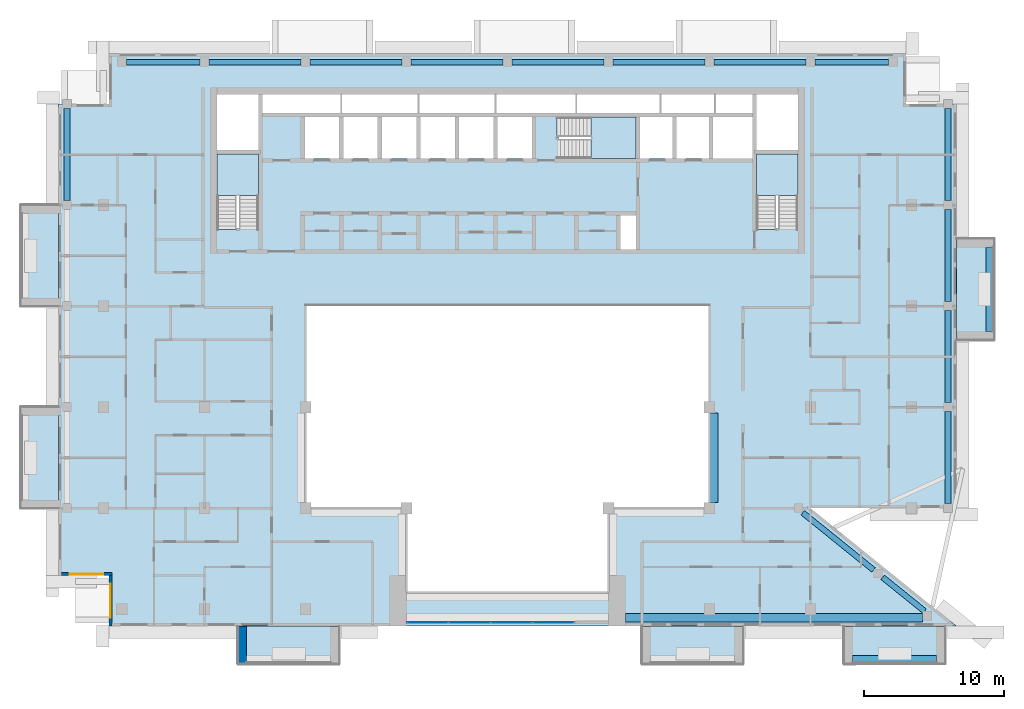
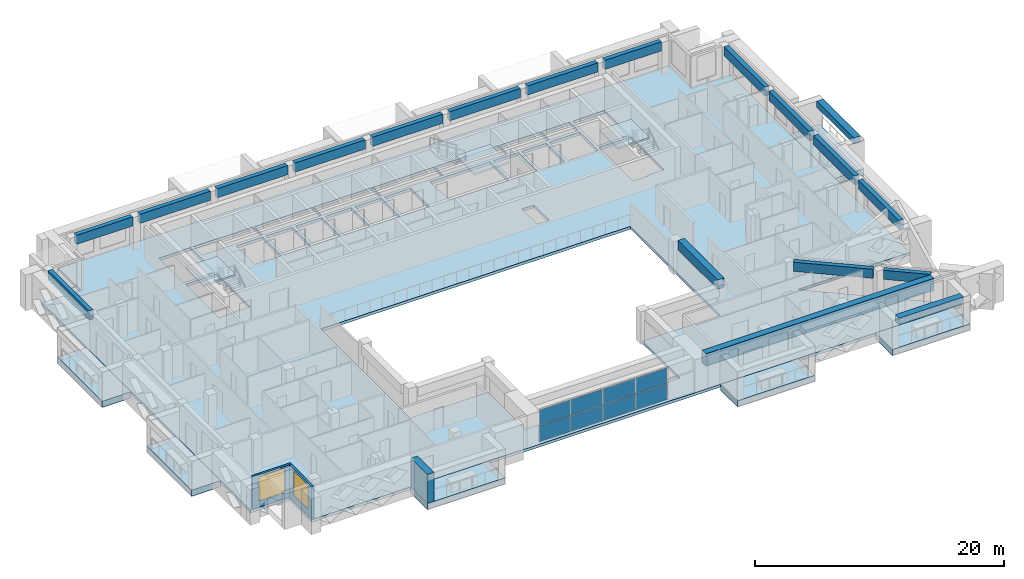
# One storey, part 5 of 19: 19 beams, 10 slabs, 8 plates, 3 walls, 2 windows, 2 openings, 4 elements without a shape of their own.
"""IFC4 building model written with IfcOpenShell, lengths in metres."""

from ifc_helpers import new_model, si_unit, direction, frame, frame_2d, origin, origin_2d, place, context, subcontext, project, spatial, polyline, rectangle, outline, extrude, source, transform, mapped, material, layer, layer_set, material_profile, profile_set, type_object, element, fill, aggregate, save


model = new_model("IFC4")

# Units and contexts
model_context = context("Model", 3, precision=1e-05, world=origin(), true_north=direction((0.0, 1.0)))
body_context = subcontext(model_context, "Body", "Model", "MODEL_VIEW")
ifc_project = project(units=[si_unit("LENGTHUNIT", "METRE"), si_unit("AREAUNIT", "SQUARE_METRE"), si_unit("VOLUMEUNIT", "CUBIC_METRE"), si_unit("PLANEANGLEUNIT", "RADIAN"), si_unit("MASSUNIT", "GRAM", prefix="KILO")], contexts=[model_context])

# Site, building, storey
site_placement = place(None, origin())
site = spatial("IfcSite", under=ifc_project, at=site_placement, CompositionType="ELEMENT")
building_placement = place(site_placement, origin())
building = spatial("IfcBuilding", under=site, at=building_placement, Name="Saffron Iwan Residences", CompositionType="ELEMENT")
storey_placement = place(building_placement, frame((0.0, 0.0, 246.5)))
storey = spatial("IfcBuildingStorey", under=building, at=storey_placement, Name="L66", CompositionType="ELEMENT", Elevation=246.5)

# Beams
ifc_material_1 = material(Name="Concrete C40/50", Category="concrete")
ifc_material_profile_1 = material_profile(ifc_material_1, rectangle(XDim=0.39990234375, YDim=0.89990234375, at=origin_2d()), Name="RC 400x900")
ifc_profile_set_1 = profile_set([ifc_material_profile_1], Name="Concrete C40/50")
beam_type_1 = type_object("IfcBeamType", Name="SPANDREL BEAM RC 400x900 C40/50 TOP 3220", PredefinedType="SPANDREL", material=ifc_profile_set_1)
shared_shape_1 = source(origin(), body_context, "Body", "SweptSolid", [
    extrude(rectangle(XDim=0.39990234375, YDim=0.89990234375, at=origin_2d()), origin(), (0.0, 0.0, 1.0), 3.839599609375),
])
beam_1_placement = place(storey_placement, frame((77.14794921875, 43.07080078125, 2.77001953125), z_axis=(0.777944766372, -0.628332667044, 0.0), x_axis=(0.628332667044, 0.777944766372, 0.0)))
element("IfcBeam", 1, at=beam_1_placement, inside=storey, type_object=beam_type_1, Name="Spandrel beam", PredefinedType="SPANDREL", context=body_context, shape_type="MappedRepresentation", body=[
    mapped(shared_shape_1, transform((0.0, 0.0, 0.0))),
])
shared_shape_2 = source(origin(), body_context, "Body", "SweptSolid", [
    extrude(rectangle(XDim=0.39990234375, YDim=0.89990234375, at=origin_2d()), origin(), (0.0, 0.0, 1.0), 6.4921875),
])
beam_2_placement = place(storey_placement, frame((71.447509765625, 47.675048828125, 2.77001953125), z_axis=(0.777936231257, -0.628343234305, 0.0), x_axis=(0.628343234305, 0.777936231257, 0.0)))
element("IfcBeam", 2, at=beam_2_placement, inside=storey, type_object=beam_type_1, Name="Spandrel beam", PredefinedType="SPANDREL", context=body_context, shape_type="MappedRepresentation", body=[
    mapped(shared_shape_2, transform((0.0, 0.0, 0.0))),
])
shared_shape_3 = source(origin(), body_context, "Body", "SweptSolid", [
    extrude(rectangle(XDim=0.39990234375, YDim=0.89990234375, at=origin_2d()), origin(), (0.0, 0.0, 1.0), 6.550048828125),
])
for number, where, z_axis, x_axis, name in (
    (3, (81.800048828125, 54.875, 2.77001953125), (0.0, -1.0, 0.0), (1.0, 0.0, 0.0), "Spandrel beam"),
    (4, (81.800048828125, 62.074951171875, 2.77001953125), (0.0, -1.0, 0.0), (1.0, 0.0, 0.0), "Spandrel beam"),
    (5, (19.0, 69.925048828125, 2.77001953125), (0.0, 1.0, 0.0), (-1.0, 0.0, 0.0), "Spandrel beam"),
    (6, (81.800048828125, 76.47509765625, 2.77001953125), (0.0, -1.0, 0.0), (1.0, 0.0, 0.0), "Spandrel beam"),
    (7, (29.125, 79.800048828125, 2.77001953125), (1.0, 0.0, 0.0), (0.0, 1.0, 0.0), "Spandrel beam"),
    (8, (36.324951171875, 79.800048828125, 2.77001953125), (1.0, 0.0, 0.0), (0.0, 1.0, 0.0), "Spandrel beam"),
    (9, (43.52490234375, 79.800048828125, 2.77001953125), (1.0, 0.0, 0.0), (0.0, 1.0, 0.0), "Spandrel beam"),
    (10, (57.925048828125, 79.800048828125, 2.77001953125), (1.0, 0.0, 0.0), (0.0, 1.0, 0.0), "Spandrel beam"),
    (11, (65.125, 79.800048828125, 2.77001953125), (1.0, 0.0, 0.0), (0.0, 1.0, 0.0), "Spandrel beam"),
):
    element("IfcBeam", number, at=place(storey_placement, frame(where, z_axis=z_axis, x_axis=x_axis)), inside=storey, type_object=beam_type_1, Name=name, PredefinedType="SPANDREL", context=body_context, shape_type="MappedRepresentation", body=[
        mapped(shared_shape_3, transform((0.0, 0.0, 0.0))),
    ])
shared_shape_4 = source(origin(), body_context, "Body", "SweptSolid", [
    extrude(rectangle(XDim=0.39990234375, YDim=0.89990234375, at=origin_2d()), origin(), (0.0, 0.0, 1.0), 6.5498046875),
])
for number, where, z_axis, x_axis, name in (
    (12, (81.800048828125, 69.27490234375, 2.77001953125), (0.0, -1.0, 0.0), (1.0, 0.0, 0.0), "Spandrel beam"),
    (13, (50.72509765625, 79.800048828125, 2.77001953125), (1.0, 0.0, 0.0), (0.0, 1.0, 0.0), "Spandrel beam"),
):
    element("IfcBeam", number, at=place(storey_placement, frame(where, z_axis=z_axis, x_axis=x_axis)), inside=storey, type_object=beam_type_1, Name=name, PredefinedType="SPANDREL", context=body_context, shape_type="MappedRepresentation", body=[
        mapped(shared_shape_4, transform((0.0, 0.0, 0.0))),
    ])
shared_shape_5 = source(origin(), body_context, "Body", "SweptSolid", [
    extrude(rectangle(XDim=0.39990234375, YDim=0.89990234375, at=origin_2d()), origin(), (0.0, 0.0, 1.0), 5.25),
])
for number, where, z_axis, x_axis, name in (
    (14, (23.22509765625, 79.800048828125, 2.77001953125), (1.0, 0.0, 0.0), (0.0, 1.0, 0.0), "Spandrel beam"),
    (15, (72.324951171875, 79.800048828125, 2.77001953125), (1.0, 0.0, 0.0), (0.0, 1.0, 0.0), "Spandrel beam"),
):
    element("IfcBeam", number, at=place(storey_placement, frame(where, z_axis=z_axis, x_axis=x_axis)), inside=storey, type_object=beam_type_1, Name=name, PredefinedType="SPANDREL", context=body_context, shape_type="MappedRepresentation", body=[
        mapped(shared_shape_5, transform((0.0, 0.0, 0.0))),
    ])
ifc_material_profile_2 = material_profile(ifc_material_1, rectangle(XDim=0.60009765625, YDim=1.199951171875, at=origin_2d()), Name="RC 600x1200")
ifc_profile_set_2 = profile_set([ifc_material_profile_2], Name="Concrete C40/50")
beam_type_2 = type_object("IfcBeamType", Name="LINTEL BEAM RC 600x1200 C40/50 TOP 3220", PredefinedType="LINTEL", material=ifc_profile_set_2)
shared_shape_6 = source(origin(), body_context, "Body", "SweptSolid", [
    extrude(rectangle(XDim=0.60009765625, YDim=1.199951171875, at=origin_2d()), origin(), (0.0, 0.0, 1.0), 21.20068359375),
])
beam_3_placement = place(storey_placement, frame((80.000732421875, 40.199951171875, 2.6201171875), z_axis=(-1.0, 0.0, 0.0), x_axis=(0.0, -1.0, 0.0)))
element("IfcBeam", 16, at=beam_3_placement, inside=storey, type_object=beam_type_2, Name="Lintel beam over the iwan", PredefinedType="LINTEL", context=body_context, shape_type="MappedRepresentation", body=[
    mapped(shared_shape_6, transform((0.0, 0.0, 0.0))),
])
ifc_material_profile_3 = material_profile(ifc_material_1, rectangle(XDim=0.60009765625, YDim=0.89990234375, at=origin_2d()), Name="RC 600x900")
ifc_profile_set_3 = profile_set([ifc_material_profile_3], Name="Concrete C40/50")
beam_type_3 = type_object("IfcBeamType", Name="BEAM RC 600x900 C40/50 TOP 3220", PredefinedType="BEAM", material=ifc_profile_set_3)
shared_shape_7 = source(origin(), body_context, "Body", "SweptSolid", [
    extrude(rectangle(XDim=0.60009765625, YDim=0.89990234375, at=origin_2d()), origin(), (0.0, 0.0, 1.0), 6.400146484375),
])
beam_4_placement = place(storey_placement, frame((65.10009765625, 54.800048828125, 2.77001953125), z_axis=(0.0, -1.0, 0.0), x_axis=(1.0, 0.0, 0.0)))
element("IfcBeam", 17, at=beam_4_placement, inside=storey, type_object=beam_type_3, Name="Atrium edge beam", PredefinedType="BEAM", context=body_context, shape_type="MappedRepresentation", body=[
    mapped(shared_shape_7, transform((0.0, 0.0, 0.0))),
])
ifc_material_2 = material(Name="Concrete C50/60 white painted", Category="concrete")
ifc_material_profile_4 = material_profile(ifc_material_2, rectangle(XDim=0.60009765625, YDim=0.60009765625, at=origin_2d()), Name="BALCONY FASCIA BEAM 600 x 600")
ifc_profile_set_4 = profile_set([ifc_material_profile_4], Name="Concrete C50/60 white painted")
beam_type_4 = type_object("IfcBeamType", Name="BALCONY FASCIA BEAM 600 x 600", PredefinedType="BEAM", material=ifc_profile_set_4)
shared_shape_8 = source(origin(), body_context, "Body", "SweptSolid", [
    extrude(rectangle(XDim=0.60009765625, YDim=0.60009765625, at=origin_2d()), origin(), (0.0, 0.0, 1.0), 6.0),
])
for number, where, z_axis, x_axis, name in (
    (18, (84.800048828125, 60.60009765625, 2.550048828125), (0.0, 1.0, 0.0), (-1.0, 0.0, 0.0), "Balcony fascia beam L66 F2-0"),
    (19, (75.0, 37.199951171875, 2.550048828125), (1.0, 0.0, 0.0), (0.0, 1.0, 0.0), "Balcony fascia beam L66 11-2"),
):
    element("IfcBeam", number, at=place(storey_placement, frame(where, z_axis=z_axis, x_axis=x_axis)), inside=storey, type_object=beam_type_4, Name=name, PredefinedType="BEAM", context=body_context, shape_type="MappedRepresentation", body=[
        mapped(shared_shape_8, transform((0.0, 0.0, 0.0))),
    ])

# Slabs
ifc_layer_1 = layer(ifc_material_2, 0.60009765625)
ifc_layer_set_1 = layer_set([ifc_layer_1], Name="Concrete C50/60 white painted")
slab_type_1 = type_object("IfcSlabType", Name="BALCONY FRAME SLAB 600", PredefinedType="FLOOR", material=ifc_layer_set_1)
slab_1_placement = place(storey_placement, frame((0.0, 0.0, -0.60009765625)))
element("IfcSlab", 20, at=slab_1_placement, inside=storey, type_object=slab_type_1, Name="Balcony frame slab L66 F2-0", PredefinedType="FLOOR", context=body_context, shape_type="SweptSolid", body=[
    extrude(outline(polyline([(85.10009765625, 60.0), (85.10009765625, 67.199951171875), (82.39990234375, 67.199951171875), (82.39990234375, 60.0), (85.10009765625, 60.0)])), origin(), (0.0, 0.0, 1.0), 0.60009765625),
])
slab_2_placement = place(storey_placement, frame((0.0, 0.0, -0.60009765625)))
element("IfcSlab", 21, at=slab_2_placement, inside=storey, type_object=slab_type_1, Name="Balcony frame slab L66 F8-0", PredefinedType="FLOOR", context=body_context, shape_type="SweptSolid", body=[
    extrude(outline(polyline([(15.699951171875, 69.60009765625), (15.699951171875, 62.39990234375), (18.39990234375, 62.39990234375), (18.39990234375, 69.60009765625), (15.699951171875, 69.60009765625)])), origin(), (0.0, 0.0, 1.0), 0.60009765625),
])
slab_3_placement = place(storey_placement, frame((0.0, 0.0, -0.60009765625)))
element("IfcSlab", 22, at=slab_3_placement, inside=storey, type_object=slab_type_1, Name="Balcony frame slab L66 F8-1", PredefinedType="FLOOR", context=body_context, shape_type="SweptSolid", body=[
    extrude(outline(polyline([(15.699951171875, 55.199951171875), (15.699951171875, 48.0), (18.39990234375, 48.0), (18.39990234375, 55.199951171875), (15.699951171875, 55.199951171875)])), origin(), (0.0, 0.0, 1.0), 0.60009765625),
])
slab_4_placement = place(storey_placement, frame((0.0, 0.0, -0.60009765625)))
element("IfcSlab", 23, at=slab_4_placement, inside=storey, type_object=slab_type_1, Name="Balcony frame slab L66 11-0", PredefinedType="FLOOR", context=body_context, shape_type="SweptSolid", body=[
    extrude(outline(polyline([(31.199951171875, 36.89990234375), (38.39990234375, 36.89990234375), (38.39990234375, 39.60009765625), (31.199951171875, 39.60009765625), (31.199951171875, 36.89990234375)])), origin(), (0.0, 0.0, 1.0), 0.60009765625),
])
slab_5_placement = place(storey_placement, frame((0.0, 0.0, -0.60009765625)))
element("IfcSlab", 24, at=slab_5_placement, inside=storey, type_object=slab_type_1, Name="Balcony frame slab L66 11-1", PredefinedType="FLOOR", context=body_context, shape_type="SweptSolid", body=[
    extrude(outline(polyline([(60.0, 36.89990234375), (67.199951171875, 36.89990234375), (67.199951171875, 39.60009765625), (60.0, 39.60009765625), (60.0, 36.89990234375)])), origin(), (0.0, 0.0, 1.0), 0.60009765625),
])
slab_6_placement = place(storey_placement, frame((0.0, 0.0, -0.60009765625)))
element("IfcSlab", 25, at=slab_6_placement, inside=storey, type_object=slab_type_1, Name="Balcony frame slab L66 11-2", PredefinedType="FLOOR", context=body_context, shape_type="SweptSolid", body=[
    extrude(outline(polyline([(74.39990234375, 36.89990234375), (81.60009765625, 36.89990234375), (81.60009765625, 39.60009765625), (74.39990234375, 39.60009765625), (74.39990234375, 36.89990234375)])), origin(), (0.0, 0.0, 1.0), 0.60009765625),
])
ifc_layer_2 = layer(ifc_material_1, 0.280029296875)
ifc_layer_set_2 = layer_set([ifc_layer_2], Name="Concrete C40/50")
slab_type_2 = type_object("IfcSlabType", Name="PT PLATE 280 C40/50", PredefinedType="FLOOR", material=ifc_layer_set_2)
slab_7_placement = place(storey_placement, frame((0.0, 0.0, -0.280029296875)))
element("IfcSlab", 26, at=slab_7_placement, inside=storey, type_object=slab_type_2, Name="Floor slab L66", PredefinedType="FLOOR", context=body_context, shape_type="SweptSolid", body=[
    extrude(outline(polyline([(18.39990234375, 43.199951171875), (18.39990234375, 76.800048828125), (22.0, 76.800048828125), (22.0, 80.39990234375), (78.800048828125, 80.39990234375), (78.800048828125, 76.800048828125), (82.39990234375, 76.800048828125), (82.39990234375, 48.0), (72.0, 48.0), (82.39990234375, 39.60009765625), (22.0, 39.60009765625), (22.0, 43.199951171875), (18.39990234375, 43.199951171875)]), holes=[polyline([(64.800048828125, 48.0), (64.800048828125, 62.39990234375), (36.0, 62.39990234375), (36.0, 48.0), (43.199951171875, 48.0), (43.199951171875, 42.0), (57.60009765625, 42.0), (57.60009765625, 48.0), (64.800048828125, 48.0)]), polyline([(29.699951171875, 73.25), (29.699951171875, 67.949951171875), (29.699951171875, 67.8505859375), (31.10009765625, 67.8505859375), (31.10009765625, 67.949951171875), (32.64990234375, 67.949951171875), (32.64990234375, 73.25), (29.699951171875, 73.25)]), polyline([(38.39990234375, 75.875), (35.949951171875, 75.875), (35.949951171875, 72.925048828125), (38.39990234375, 72.925048828125), (38.39990234375, 75.875)]), polyline([(41.14990234375, 75.875), (38.699951171875, 75.875), (38.699951171875, 72.925048828125), (41.14990234375, 72.925048828125), (41.14990234375, 75.875)]), polyline([(43.89990234375, 72.925048828125), (43.89990234375, 75.875), (41.449951171875, 75.875), (41.449951171875, 72.925048828125), (43.89990234375, 72.925048828125)]), polyline([(46.64990234375, 72.925048828125), (46.64990234375, 75.875), (44.199951171875, 75.875), (44.199951171875, 72.925048828125), (46.64990234375, 72.925048828125)]), polyline([(49.39990234375, 75.875), (46.949951171875, 75.875), (46.949951171875, 72.925048828125), (49.39990234375, 72.925048828125), (49.39990234375, 75.875)]), polyline([(52.14990234375, 72.925048828125), (52.14990234375, 75.875), (49.699951171875, 75.875), (49.699951171875, 72.925048828125), (52.14990234375, 72.925048828125)]), polyline([(32.64990234375, 73.550048828125), (32.64990234375, 77.5), (29.699951171875, 77.5), (29.699951171875, 73.550048828125), (32.64990234375, 73.550048828125)]), polyline([(38.5, 77.5), (32.949951171875, 77.5), (32.949951171875, 76.175048828125), (38.5, 76.175048828125), (38.5, 77.5)]), polyline([(44.0, 76.175048828125), (44.0, 77.5), (38.60009765625, 77.5), (38.60009765625, 76.175048828125), (44.0, 76.175048828125)]), polyline([(49.5, 76.175048828125), (49.5, 77.5), (44.10009765625, 77.5), (44.10009765625, 76.175048828125), (49.5, 76.175048828125)]), polyline([(59.550048828125, 68.875), (58.449951171875, 68.875), (58.449951171875, 66.449951171875), (59.550048828125, 66.449951171875), (59.550048828125, 68.875)]), polyline([(68.14990234375, 73.25), (68.14990234375, 67.949951171875), (68.14990234375, 67.8505859375), (69.550048828125, 67.8505859375), (69.550048828125, 67.949951171875), (71.10009765625, 67.949951171875), (71.10009765625, 73.25), (68.14990234375, 73.25)]), polyline([(54.02490234375, 74.47509765625), (54.02490234375, 72.925048828125), (59.550048828125, 72.925048828125), (59.550048828125, 75.875), (54.02490234375, 75.875), (53.925537109375, 75.875), (53.925537109375, 74.47509765625), (54.02490234375, 74.47509765625)]), polyline([(62.14990234375, 72.925048828125), (62.14990234375, 75.875), (59.85009765625, 75.875), (59.85009765625, 72.925048828125), (62.14990234375, 72.925048828125)]), polyline([(64.75, 72.925048828125), (64.75, 75.875), (62.449951171875, 75.875), (62.449951171875, 72.925048828125), (64.75, 72.925048828125)]), polyline([(67.85009765625, 75.875), (65.050048828125, 75.875), (65.050048828125, 72.925048828125), (67.85009765625, 72.925048828125), (67.85009765625, 75.875)]), polyline([(71.10009765625, 73.550048828125), (71.10009765625, 77.5), (68.14990234375, 77.5), (68.14990234375, 73.550048828125), (71.10009765625, 73.550048828125)]), polyline([(55.25, 76.175048828125), (55.25, 77.5), (49.60009765625, 77.5), (49.60009765625, 76.175048828125), (55.25, 76.175048828125)]), polyline([(61.25, 77.5), (55.35009765625, 77.5), (55.35009765625, 76.175048828125), (61.25, 76.175048828125), (61.25, 77.5)]), polyline([(65.14990234375, 76.175048828125), (65.14990234375, 77.5), (61.35009765625, 77.5), (61.35009765625, 76.175048828125), (65.14990234375, 76.175048828125)]), polyline([(67.85009765625, 76.175048828125), (67.85009765625, 77.5), (65.25, 77.5), (65.25, 76.175048828125), (67.85009765625, 76.175048828125)])]), origin(), (0.0, 0.0, 1.0), 0.280029296875),
])

# Stair, slab
ifc_material_3 = material(Name="Concrete C50/60", Category="concrete")
stair_type = type_object("IfcStairType", Name="Stair ST-CORE", PredefinedType="HALF_TURN_STAIR", material=ifc_material_3)
stair_1_placement = place(storey_placement, origin())
stair_1 = element("IfcStair", 27, at=stair_1_placement, inside=storey, type_object=stair_type, Name="L66 Exit Stair ST-W", PredefinedType="HALF_TURN_STAIR")
ifc_layer_3 = layer(ifc_material_3, 0.199951171875)
ifc_layer_set_3 = layer_set([ifc_layer_3], Name="Concrete C50/60")
slab_type_3 = type_object("IfcSlabType", Name="Stair landing SL-RC", PredefinedType="LANDING", material=ifc_layer_set_3)
slab_8_placement = place(storey_placement, frame((0.0, 0.0, 1.5498046875)))
slab_8 = element("IfcSlab", 28, at=slab_8_placement, type_object=slab_type_3, Name="ST-W landing 1", PredefinedType="LANDING", context=body_context, shape_type="SweptSolid", body=[
    extrude(outline(polyline([(32.64990234375, 70.280029296875), (32.64990234375, 73.25), (29.699951171875, 73.25), (29.699951171875, 70.280029296875), (32.64990234375, 70.280029296875)])), origin(), (0.0, 0.0, 1.0), 0.2001953125),
])
aggregate(stair_1, [slab_8])

stair_2_placement = place(storey_placement, origin())
stair_2 = element("IfcStair", 29, at=stair_2_placement, inside=storey, type_object=stair_type, Name="L66 Exit Stair ST-C", PredefinedType="HALF_TURN_STAIR")
slab_9_placement = place(storey_placement, frame((0.0, 0.0, 1.5498046875)))
slab_9 = element("IfcSlab", 30, at=slab_9_placement, type_object=slab_type_3, Name="ST-C landing 1", PredefinedType="LANDING", context=body_context, shape_type="SweptSolid", body=[
    extrude(outline(polyline([(56.35498046875, 72.925048828125), (59.550048828125, 72.925048828125), (59.550048828125, 75.875), (56.35498046875, 75.875), (56.35498046875, 72.925048828125)])), origin(), (0.0, 0.0, 1.0), 0.2001953125),
])
aggregate(stair_2, [slab_9])

stair_3_placement = place(storey_placement, origin())
stair_3 = element("IfcStair", 31, at=stair_3_placement, inside=storey, type_object=stair_type, Name="L66 Exit Stair ST-E", PredefinedType="HALF_TURN_STAIR")
slab_10_placement = place(storey_placement, frame((0.0, 0.0, 1.5498046875)))
slab_10 = element("IfcSlab", 32, at=slab_10_placement, type_object=slab_type_3, Name="ST-E landing 1", PredefinedType="LANDING", context=body_context, shape_type="SweptSolid", body=[
    extrude(outline(polyline([(71.10009765625, 70.280029296875), (71.10009765625, 73.25), (68.14990234375, 73.25), (68.14990234375, 70.280029296875), (71.10009765625, 70.280029296875)])), origin(), (0.0, 0.0, 1.0), 0.2001953125),
])
aggregate(stair_3, [slab_10])

# Curtain wall, plates
ifc_material_4 = material(Name="Clear glass, laminated double glazed", Category="glass")
ifc_layer_4 = layer(ifc_material_4, 0.199951171875)
ifc_layer_set_4 = layer_set([ifc_layer_4], Name="Clear glass, laminated double glazed")
curtain_wall_type = type_object("IfcCurtainWallType", Name="CW-B IWAN PORTAL", PredefinedType="NOTDEFINED", material=ifc_layer_set_4)
curtain_wall_placement = place(storey_placement, origin())
curtain_wall = element("IfcCurtainWall", 33, at=curtain_wall_placement, inside=storey, type_object=curtain_wall_type, Name="Iwan portal glazing L66.1", PredefinedType="NOTDEFINED")
ifc_layer_5 = layer(ifc_material_4, 0.028076171875)
ifc_layer_set_5 = layer_set([ifc_layer_5], Name="Clear glass, laminated double glazed")
plate_type = type_object("IfcPlateType", Name="CW-B PANEL 28", PredefinedType="CURTAIN_PANEL", material=ifc_layer_set_5)
shared_shape_9 = source(origin(), body_context, "Body", "SweptSolid", [
    extrude(rectangle(XDim=2.909912109375, YDim=0.028076171875, at=origin_2d()), origin(), (0.0, 0.0, 1.0), 1.52001953125),
])
plate_1_placement = place(storey_placement, frame((44.715087890625, 39.85009765625, 0.06005859375), z_axis=(0.0, 0.0, 1.0), x_axis=(1.0, 0.0, 0.0)))
plate_1 = element("IfcPlate", 34, at=plate_1_placement, type_object=plate_type, Name="CW-B panel 1.1", PredefinedType="CURTAIN_PANEL", context=body_context, shape_type="MappedRepresentation", body=[
    mapped(shared_shape_9, transform((0.0, 0.0, 0.0))),
])
plate_2_placement = place(storey_placement, frame((44.715087890625, 39.85009765625, 1.639892578125), z_axis=(0.0, 0.0, 1.0), x_axis=(1.0, 0.0, 0.0)))
plate_2 = element("IfcPlate", 35, at=plate_2_placement, type_object=plate_type, Name="CW-B panel 1.2", PredefinedType="CURTAIN_PANEL", context=body_context, shape_type="MappedRepresentation", body=[
    mapped(shared_shape_9, transform((0.0, 0.0, 0.0))),
])
plate_3_placement = place(storey_placement, frame((53.68505859375, 39.85009765625, 0.06005859375), z_axis=(0.0, 0.0, 1.0), x_axis=(1.0, 0.0, 0.0)))
plate_3 = element("IfcPlate", 36, at=plate_3_placement, type_object=plate_type, Name="CW-B panel 4.1", PredefinedType="CURTAIN_PANEL", context=body_context, shape_type="MappedRepresentation", body=[
    mapped(shared_shape_9, transform((0.0, 0.0, 0.0))),
])
plate_4_placement = place(storey_placement, frame((53.68505859375, 39.85009765625, 1.639892578125), z_axis=(0.0, 0.0, 1.0), x_axis=(1.0, 0.0, 0.0)))
plate_4 = element("IfcPlate", 37, at=plate_4_placement, type_object=plate_type, Name="CW-B panel 4.2", PredefinedType="CURTAIN_PANEL", context=body_context, shape_type="MappedRepresentation", body=[
    mapped(shared_shape_9, transform((0.0, 0.0, 0.0))),
])
shared_shape_10 = source(origin(), body_context, "Body", "SweptSolid", [
    extrude(rectangle(XDim=2.93994140625, YDim=0.028076171875, at=origin_2d()), origin(), (0.0, 0.0, 1.0), 1.52001953125),
])
plate_5_placement = place(storey_placement, frame((47.699951171875, 39.85009765625, 0.06005859375), z_axis=(0.0, 0.0, 1.0), x_axis=(1.0, 0.0, 0.0)))
plate_5 = element("IfcPlate", 38, at=plate_5_placement, type_object=plate_type, Name="CW-B panel 2.1", PredefinedType="CURTAIN_PANEL", context=body_context, shape_type="MappedRepresentation", body=[
    mapped(shared_shape_10, transform((0.0, 0.0, 0.0))),
])
plate_6_placement = place(storey_placement, frame((47.699951171875, 39.85009765625, 1.639892578125), z_axis=(0.0, 0.0, 1.0), x_axis=(1.0, 0.0, 0.0)))
plate_6 = element("IfcPlate", 39, at=plate_6_placement, type_object=plate_type, Name="CW-B panel 2.2", PredefinedType="CURTAIN_PANEL", context=body_context, shape_type="MappedRepresentation", body=[
    mapped(shared_shape_10, transform((0.0, 0.0, 0.0))),
])
plate_7_placement = place(storey_placement, frame((50.699951171875, 39.85009765625, 0.06005859375), z_axis=(0.0, 0.0, 1.0), x_axis=(1.0, 0.0, 0.0)))
plate_7 = element("IfcPlate", 40, at=plate_7_placement, type_object=plate_type, Name="CW-B panel 3.1", PredefinedType="CURTAIN_PANEL", context=body_context, shape_type="MappedRepresentation", body=[
    mapped(shared_shape_10, transform((0.0, 0.0, 0.0))),
])
plate_8_placement = place(storey_placement, frame((50.699951171875, 39.85009765625, 1.639892578125), z_axis=(0.0, 0.0, 1.0), x_axis=(1.0, 0.0, 0.0)))
plate_8 = element("IfcPlate", 41, at=plate_8_placement, type_object=plate_type, Name="CW-B panel 3.2", PredefinedType="CURTAIN_PANEL", context=body_context, shape_type="MappedRepresentation", body=[
    mapped(shared_shape_10, transform((0.0, 0.0, 0.0))),
])
aggregate(curtain_wall, [plate_1, plate_2, plate_5, plate_6, plate_7, plate_8, plate_3, plate_4])

# Wall
ifc_layer_6 = layer(ifc_material_2, 0.60009765625)
ifc_layer_set_6 = layer_set([ifc_layer_6], Name="Concrete C50/60 white painted")
wall_type_1 = type_object("IfcWallType", Name="BALCONY FIN 600", PredefinedType="SOLIDWALL", material=ifc_layer_set_6)
wall_1_placement = place(storey_placement, frame((31.5, 39.550048828125, 0.0), z_axis=(0.0, 0.0, 1.0), x_axis=(0.0, -1.0, 0.0)))
element("IfcWall", 42, at=wall_1_placement, inside=storey, type_object=wall_type_1, Name="Balcony fin L66 11-0a", PredefinedType="SOLIDWALL", context=body_context, shape_type="SweptSolid", body=[
    extrude(rectangle(XDim=2.650146484375, YDim=0.60009765625, at=frame_2d((1.3251953125, 0.0))), origin(), (0.0, 0.0, 1.0), 2.85009765625),
])

# Wall, opening, window
ifc_layer_7 = layer(ifc_material_1, 0.199951171875)
ifc_layer_set_7 = layer_set([ifc_layer_7], Name="Concrete C40/50")
wall_type_2 = type_object("IfcWallType", Name="EXTERNAL WALL 200", PredefinedType="SOLIDWALL", material=ifc_layer_set_7)
wall_2_placement = place(storey_placement, frame((18.60009765625, 43.300048828125, 0.0), z_axis=(0.0, 0.0, 1.0), x_axis=(1.0, 0.0, 0.0)))
wall_2 = element("IfcWall", 43, at=wall_2_placement, inside=storey, type_object=wall_type_2, Name="External wall L66 F9.0", PredefinedType="SOLIDWALL", context=body_context, shape_type="SweptSolid", body=[
    extrude(rectangle(XDim=3.599853515625, YDim=0.199951171875, at=frame_2d((1.7998046875, 0.0))), origin(), (0.0, 0.0, 1.0), 3.219970703125),
])
opening_1_placement = place(wall_2_placement, frame((0.60009765625, 0.0, 0.60009765625)))
opening_1 = element("IfcOpeningElement", 44, at=opening_1_placement, cuts=wall_2, Name="Opening W1", PredefinedType="OPENING", context=body_context, shape_type="SweptSolid", body=[
    extrude(rectangle(XDim=2.39990234375, YDim=2.39990234375, at=frame_2d((1.199951171875, 1.199951171875))), frame((0.0, 0.10986328125, 0.0), z_axis=(0.0, -1.0, 0.0), x_axis=(1.0, 0.0, 0.0)), (0.0, 0.0, 1.0), 0.219970703125),
])
window_type = type_object("IfcWindowType", Name="WINDOW 2400 x 2400", PartitioningType="DOUBLE_PANEL_VERTICAL", PredefinedType="WINDOW", material=ifc_material_4)
window_1_placement = place(opening_1_placement, origin())
window_1 = element("IfcWindow", 45, at=window_1_placement, inside=storey, type_object=window_type, Name="Window L66 F9.0", OverallHeight=2.39990234375, OverallWidth=2.39990234375, PartitioningType="DOUBLE_PANEL_VERTICAL", PredefinedType="WINDOW", context=body_context, shape_type="SweptSolid", body=[
    extrude(rectangle(XDim=2.39990234375, YDim=2.39990234375, at=frame_2d((1.199951171875, 1.199951171875))), frame((0.0, 0.030029296875, 0.0), z_axis=(0.0, -1.0, 0.0), x_axis=(1.0, 0.0, 0.0)), (0.0, 0.0, 1.0), 0.06005859375),
])
fill(opening_1, window_1)

wall_3_placement = place(storey_placement, frame((22.10009765625, 43.199951171875, 0.0), z_axis=(0.0, 0.0, 1.0), x_axis=(0.0, -1.0, 0.0)))
wall_3 = element("IfcWall", 46, at=wall_3_placement, inside=storey, type_object=wall_type_2, Name="External wall L66 F10.0", PredefinedType="SOLIDWALL", context=body_context, shape_type="SweptSolid", body=[
    extrude(rectangle(XDim=3.599853515625, YDim=0.199951171875, at=frame_2d((1.7998046875, 0.0))), origin(), (0.0, 0.0, 1.0), 3.219970703125),
])
opening_2_placement = place(wall_3_placement, frame((0.60009765625, 0.0, 0.60009765625)))
opening_2 = element("IfcOpeningElement", 47, at=opening_2_placement, cuts=wall_3, Name="Opening W1", PredefinedType="OPENING", context=body_context, shape_type="SweptSolid", body=[
    extrude(rectangle(XDim=2.39990234375, YDim=2.39990234375, at=frame_2d((1.199951171875, 1.199951171875))), frame((0.0, 0.10986328125, 0.0), z_axis=(0.0, -1.0, 0.0), x_axis=(1.0, 0.0, 0.0)), (0.0, 0.0, 1.0), 0.219970703125),
])
window_2_placement = place(opening_2_placement, origin())
window_2 = element("IfcWindow", 48, at=window_2_placement, inside=storey, type_object=window_type, Name="Window L66 F10.0", OverallHeight=2.39990234375, OverallWidth=2.39990234375, PartitioningType="DOUBLE_PANEL_VERTICAL", PredefinedType="WINDOW", context=body_context, shape_type="SweptSolid", body=[
    extrude(rectangle(XDim=2.39990234375, YDim=2.39990234375, at=frame_2d((1.199951171875, 1.199951171875))), frame((0.0, 0.030029296875, 0.0), z_axis=(0.0, -1.0, 0.0), x_axis=(1.0, 0.0, 0.0)), (0.0, 0.0, 1.0), 0.06005859375),
])
fill(opening_2, window_2)

save(model, "model.ifc")
